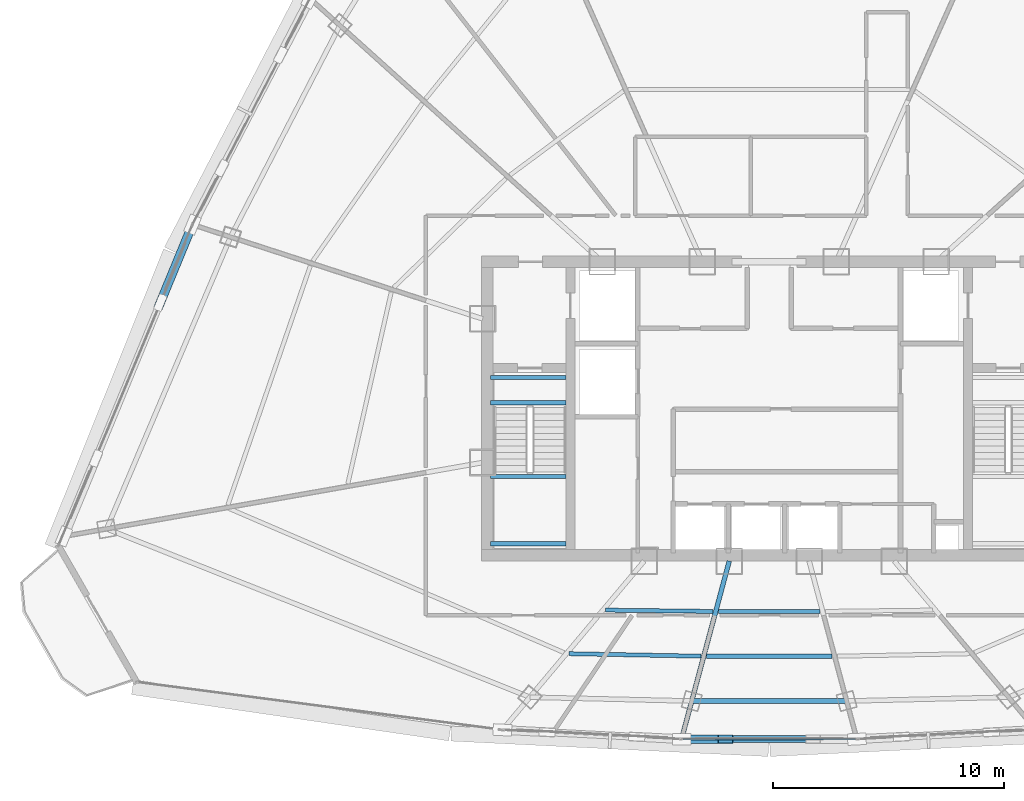
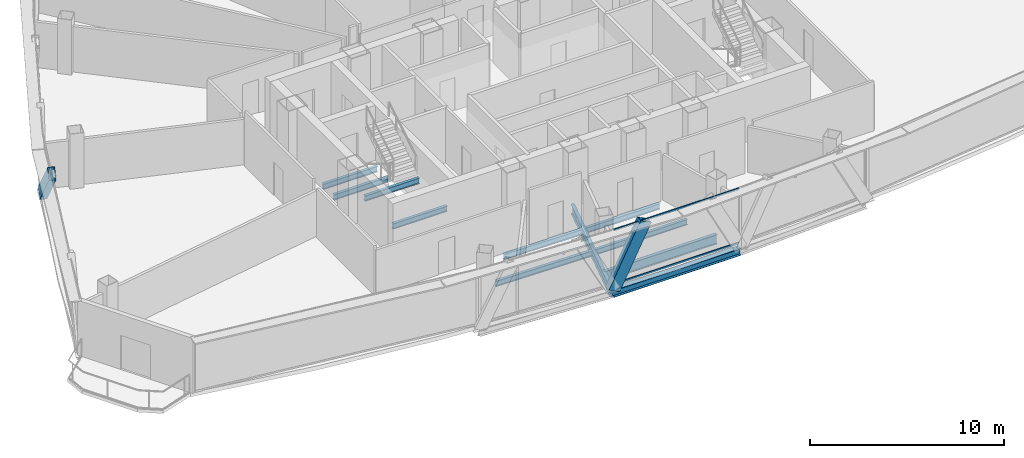
# One storey, part 7 of 35: 11 beams, 4 members, 1 element without a shape of its own.
"""IFC4 building model written with IfcOpenShell, lengths in metres."""

from ifc_helpers import new_model, si_unit, direction, frame, origin, origin_2d, place, context, subcontext, project, spatial, hollow_rectangle, i_section, extrude, source, transform, mapped, material, layer, layer_set, material_profile, profile_set, type_object, element, aggregate, save


model = new_model("IFC4")

# Units and contexts
model_context = context("Model", 3, precision=1e-05, world=origin(), true_north=direction((0.0, 1.0)))
body_context = subcontext(model_context, "Body", "Model", "MODEL_VIEW")
ifc_project = project(units=[si_unit("LENGTHUNIT", "METRE"), si_unit("AREAUNIT", "SQUARE_METRE"), si_unit("VOLUMEUNIT", "CUBIC_METRE"), si_unit("PLANEANGLEUNIT", "RADIAN"), si_unit("MASSUNIT", "GRAM", prefix="KILO"), si_unit("THERMODYNAMICTEMPERATUREUNIT", "KELVIN"), si_unit("POWERUNIT", "WATT")], contexts=[model_context])

# Site, building, storey
site_placement = place(None, origin())
site = spatial("IfcSite", under=ifc_project, at=site_placement, CompositionType="ELEMENT")
building_placement = place(site_placement, origin())
building = spatial("IfcBuilding", under=site, at=building_placement, Name="Yunzhuo Pagoda Commons", CompositionType="ELEMENT")
storey_placement = place(building_placement, frame((0.0, 0.0, 303.669921875)))
storey = spatial("IfcBuildingStorey", under=building, at=storey_placement, Name="L76", CompositionType="ELEMENT", Elevation=303.669921875)

# Beams
ifc_material_1 = material(Name="Structural steel Q355B", Category="steel")
ifc_material_profile_1 = material_profile(ifc_material_1, i_section(OverallWidth=0.175048828125, OverallDepth=0.35009765625, WebThickness=0.007080078125, FlangeThickness=0.010986328125, at=origin_2d()), Name="Structural steel Q355B")
ifc_profile_set_1 = profile_set([ifc_material_profile_1], Name="Structural steel Q355B")
beam_type_1 = type_object("IfcBeamType", Name="B-JS2 Joist HN 350x175x7x11", PredefinedType="JOIST", material=ifc_profile_set_1)
shared_shape_1 = source(origin(), body_context, "Body", "SweptSolid", [
    extrude(i_section(OverallWidth=0.175048828125, OverallDepth=0.35009765625, WebThickness=0.007080078125, FlangeThickness=0.010986328125, at=origin_2d()), origin(), (0.0, 0.0, 1.0), 3.25),
])
for number, where, z_axis, x_axis, name in (
    (1, (35.949951171875, 28.0, 1.489990234375), (1.0, 0.0, 0.0), (0.0, 1.0, 0.0), "L76 ST1 landing support beam 82A"),
    (2, (35.949951171875, 30.89990234375, 1.489990234375), (1.0, 0.0, 0.0), (0.0, 1.0, 0.0), "L76 ST1 landing support beam 82B"),
    (3, (35.949951171875, 34.10009765625, -0.375), (1.0, 0.0, 0.0), (0.0, 1.0, 0.0), "L76 ST1 landing support beam 180A"),
    (4, (35.949951171875, 35.199951171875, -0.375), (1.0, 0.0, 0.0), (0.0, 1.0, 0.0), "L76 ST1 landing support beam 180B"),
):
    element("IfcBeam", number, at=place(storey_placement, frame(where, z_axis=z_axis, x_axis=x_axis)), inside=storey, type_object=beam_type_1, Name=name, PredefinedType="JOIST", context=body_context, shape_type="MappedRepresentation", body=[
        mapped(shared_shape_1, transform((0.0, 0.0, 0.0), scale=1.0)),
    ])
shared_shape_2 = source(origin(), body_context, "Body", "SweptSolid", [
    extrude(i_section(OverallWidth=0.175048828125, OverallDepth=0.35009765625, WebThickness=0.007080078125, FlangeThickness=0.010986328125, at=origin_2d()), origin(), (0.0, 0.0, 1.0), 4.64892578125),
])
beam_1_placement = place(storey_placement, frame((40.924072265625, 25.12890625, -0.434814453125), z_axis=(0.999924495467, -0.012288342626, 0.0), x_axis=(0.012288342626, 0.999924495467, 0.0)))
element("IfcBeam", 5, at=beam_1_placement, inside=storey, type_object=beam_type_1, Name="L76 composite ring joist 1.1", PredefinedType="JOIST", context=body_context, shape_type="MappedRepresentation", body=[
    mapped(shared_shape_2, transform((0.0, 0.0, 0.0), scale=1.0)),
])
shared_shape_3 = source(origin(), body_context, "Body", "SweptSolid", [
    extrude(i_section(OverallWidth=0.175048828125, OverallDepth=0.35009765625, WebThickness=0.007080078125, FlangeThickness=0.010986328125, at=origin_2d()), origin(), (0.0, 0.0, 1.0), 5.711669921875),
])
beam_2_placement = place(storey_placement, frame((39.343017578125, 23.24365234375, -0.434814453125), z_axis=(0.999819084998, -0.019020969297, 0.0), x_axis=(0.019020969297, 0.999819084998, 0.0)))
element("IfcBeam", 6, at=beam_2_placement, inside=storey, type_object=beam_type_1, Name="L76 composite ring joist 2.1", PredefinedType="JOIST", context=body_context, shape_type="MappedRepresentation", body=[
    mapped(shared_shape_3, transform((0.0, 0.0, 0.0), scale=1.0)),
])
ifc_material_profile_2 = material_profile(ifc_material_1, i_section(OverallWidth=0.199951171875, OverallDepth=0.60009765625, WebThickness=0.010986328125, FlangeThickness=0.01708984375, at=origin_2d()), Name="Structural steel Q355B")
ifc_profile_set_2 = profile_set([ifc_material_profile_2], Name="Structural steel Q355B")
beam_type_2 = type_object("IfcBeamType", Name="B-RG3 Beam HN 600x200x11x17", PredefinedType="BEAM", material=ifc_profile_set_2)
shared_shape_4 = source(origin(), body_context, "Body", "SweptSolid", [
    extrude(i_section(OverallWidth=0.199951171875, OverallDepth=0.60009765625, WebThickness=0.010986328125, FlangeThickness=0.01708984375, at=origin_2d()), origin(), (0.0, 0.0, 1.0), 6.701171875),
])
beam_3_placement = place(storey_placement, frame((44.6494140625, 21.195556640625, -0.559814453125), z_axis=(1.0, 0.0, 0.0), x_axis=(0.0, 1.0, 0.0)))
element("IfcBeam", 7, at=beam_3_placement, inside=storey, type_object=beam_type_2, Name="L76 column-ring beam 2", PredefinedType="BEAM", context=body_context, shape_type="MappedRepresentation", body=[
    mapped(shared_shape_4, transform((0.0, 0.0, 0.0), scale=1.0)),
])
shared_shape_5 = source(origin(), body_context, "Body", "SweptSolid", [
    extrude(i_section(OverallWidth=0.175048828125, OverallDepth=0.35009765625, WebThickness=0.007080078125, FlangeThickness=0.010986328125, at=origin_2d()), origin(), (0.0, 0.0, 1.0), 4.39453125),
])
beam_4_placement = place(storey_placement, frame((45.802734375, 25.070556640625, -0.434814453125), z_axis=(1.0, 0.0, 0.0), x_axis=(0.0, 1.0, 0.0)))
element("IfcBeam", 8, at=beam_4_placement, inside=storey, type_object=beam_type_1, Name="L76 composite ring joist 1.2", PredefinedType="JOIST", context=body_context, shape_type="MappedRepresentation", body=[
    mapped(shared_shape_5, transform((0.0, 0.0, 0.0), scale=1.0)),
])
shared_shape_6 = source(origin(), body_context, "Body", "SweptSolid", [
    extrude(i_section(OverallWidth=0.175048828125, OverallDepth=0.35009765625, WebThickness=0.007080078125, FlangeThickness=0.010986328125, at=origin_2d()), origin(), (0.0, 0.0, 1.0), 5.43310546875),
])
beam_5_placement = place(storey_placement, frame((45.283447265625, 23.133056640625, -0.434814453125), z_axis=(1.0, 0.0, 0.0), x_axis=(0.0, 1.0, 0.0)))
element("IfcBeam", 9, at=beam_5_placement, inside=storey, type_object=beam_type_1, Name="L76 composite ring joist 2.2", PredefinedType="JOIST", context=body_context, shape_type="MappedRepresentation", body=[
    mapped(shared_shape_6, transform((0.0, 0.0, 0.0), scale=1.0)),
])
shared_shape_7 = source(origin(), body_context, "Body", "SweptSolid", [
    extrude(i_section(OverallWidth=0.199951171875, OverallDepth=0.60009765625, WebThickness=0.010986328125, FlangeThickness=0.01708984375, at=origin_2d()), origin(), (0.0, 0.0, 1.0), 7.82080078125),
])
beam_6_placement = place(storey_placement, frame((44.24755859375, 19.69580078125, -0.559814453125), z_axis=(0.258851551994, 0.965917115508, 0.0), x_axis=(-0.965917115508, 0.258851551994, 0.0)))
element("IfcBeam", 10, at=beam_6_placement, inside=storey, type_object=beam_type_2, Name="L76 radial floor girder F1C2", PredefinedType="BEAM", context=body_context, shape_type="MappedRepresentation", body=[
    mapped(shared_shape_7, transform((0.0, 0.0, 0.0), scale=1.0)),
])
ifc_material_profile_3 = material_profile(ifc_material_1, i_section(OverallWidth=0.300048828125, OverallDepth=0.43994140625, WebThickness=0.010986328125, FlangeThickness=0.01806640625, at=origin_2d()), Name="Structural steel Q355B")
ifc_profile_set_3 = profile_set([ifc_material_profile_3], Name="Structural steel Q355B")
beam_type_3 = type_object("IfcBeamType", Name="B-SP2 Beam HM 440x300x11x18", PredefinedType="BEAM", material=ifc_profile_set_3)
shared_shape_8 = source(origin(), body_context, "Body", "SweptSolid", [
    extrude(i_section(OverallWidth=0.300048828125, OverallDepth=0.43994140625, WebThickness=0.010986328125, FlangeThickness=0.01806640625, at=origin_2d()), origin(), (0.0, 0.0, 1.0), 7.5849609375),
])
beam_7_placement = place(storey_placement, frame((44.207763671875, 19.5458984375, -0.47998046875), z_axis=(1.0, 0.0, 0.0), x_axis=(0.0, 1.0, 0.0)))
element("IfcBeam", 11, at=beam_7_placement, inside=storey, type_object=beam_type_3, Name="L76 facade edge spandrel beam F1.2", PredefinedType="BEAM", context=body_context, shape_type="MappedRepresentation", body=[
    mapped(shared_shape_8, transform((0.0, 0.0, 0.0), scale=1.0)),
])

# Members
ifc_material_profile_4 = material_profile(ifc_material_1, hollow_rectangle(XDim=0.3798828125, YDim=0.719970703125, WallThickness=0.02001953125, at=origin_2d()), Name="Structural steel Q355B")
ifc_profile_set_4 = profile_set([ifc_material_profile_4], Name="Structural steel Q355B")
member_type_1 = type_object("IfcMemberType", Name="M-DL3 Brace BOX 720x380x20", PredefinedType="BRACE", material=ifc_profile_set_4)
shared_shape_9 = source(origin(), body_context, "Body", "SweptSolid", [
    extrude(hollow_rectangle(XDim=0.3798828125, YDim=0.719970703125, WallThickness=0.02001953125, at=origin_2d()), origin(), (0.0, 0.0, 1.0), 4.18408203125),
])
member_1_placement = place(storey_placement, frame((44.207763671875, 19.5458984375, -0.260009765625), z_axis=(0.453131947399, 0.0, 0.891443457683), x_axis=(0.0, 1.0, 0.0)))
element("IfcMember", 12, at=member_1_placement, inside=storey, type_object=member_type_1, Name="L76 facade diamond brace F1.2L", PredefinedType="BRACE", context=body_context, shape_type="MappedRepresentation", body=[
    mapped(shared_shape_9, transform((0.0, 0.0, 0.0), scale=1.0)),
])
shared_shape_10 = source(origin(), body_context, "Body", "SweptSolid", [
    extrude(hollow_rectangle(XDim=0.3798828125, YDim=0.719970703125, WallThickness=0.02001953125, at=origin_2d()), origin(), (0.0, 0.0, 1.0), 5.216796875),
])
member_2_placement = place(storey_placement, frame((23.050048828125, 41.806640625, -0.260009765625), z_axis=(-0.266614279222, -0.646295101993, 0.714996130937), x_axis=(0.924429751902, -0.381352374843, 0.0)))
element("IfcMember", 13, at=member_2_placement, inside=storey, type_object=member_type_1, Name="L76 facade diamond brace F3.3L", PredefinedType="BRACE", context=body_context, shape_type="MappedRepresentation", body=[
    mapped(shared_shape_10, transform((0.0, 0.0, 0.0), scale=1.0)),
])

# Curtain wall, members
ifc_material_2 = material(Name="Anodized aluminium 6063-T6", Category="aluminium")
ifc_layer = layer(ifc_material_2, 0.139892578125)
ifc_layer_set = layer_set([ifc_layer], Name="Anodized aluminium 6063-T6")
curtain_wall_type = type_object("IfcCurtainWallType", Name="CW-HI High-Zone Ribbon Curtain Wall", PredefinedType="NOTDEFINED", material=ifc_layer_set)
curtain_wall_placement = place(storey_placement, origin())
curtain_wall = element("IfcCurtainWall", 14, at=curtain_wall_placement, inside=storey, type_object=curtain_wall_type, Name="L76 curtain wall CW-L76-F1B3", PredefinedType="NOTDEFINED")
ifc_material_profile_5 = material_profile(ifc_material_2, hollow_rectangle(XDim=0.054931640625, YDim=0.1201171875, WallThickness=0.00341796875, at=origin_2d()), Name="Anodized aluminium 6063-T6")
ifc_profile_set_5 = profile_set([ifc_material_profile_5], Name="Anodized aluminium 6063-T6")
member_type_2 = type_object("IfcMemberType", Name="CW-HI-T Transom RHS 120x55x3.5", PredefinedType="USERDEFINED", material=ifc_profile_set_5)
shared_shape_11 = source(origin(), body_context, "Body", "SweptSolid", [
    extrude(hollow_rectangle(XDim=0.054931640625, YDim=0.1201171875, WallThickness=0.00341796875, at=origin_2d()), origin(), (0.0, 0.0, 1.0), 7.46533203125),
])
member_3_placement = place(storey_placement, frame((44.267333984375, 19.5458984375, 0.027587890625), z_axis=(1.0, 0.0, 0.0), x_axis=(0.0, 1.0, 0.0)))
member_3 = element("IfcMember", 15, at=member_3_placement, type_object=member_type_2, Name="CW transom 1.1", ObjectType="TRANSOM", PredefinedType="USERDEFINED", context=body_context, shape_type="MappedRepresentation", body=[
    mapped(shared_shape_11, transform((0.0, 0.0, 0.0), scale=1.0)),
])
member_4_placement = place(storey_placement, frame((44.267333984375, 19.5458984375, 3.442626953125), z_axis=(1.0, 0.0, 0.0), x_axis=(0.0, 1.0, 0.0)))
member_4 = element("IfcMember", 16, at=member_4_placement, type_object=member_type_2, Name="CW transom 1.2", ObjectType="TRANSOM", PredefinedType="USERDEFINED", context=body_context, shape_type="MappedRepresentation", body=[
    mapped(shared_shape_11, transform((0.0, 0.0, 0.0), scale=1.0)),
])
aggregate(curtain_wall, [member_3, member_4])

save(model, "model.ifc")
